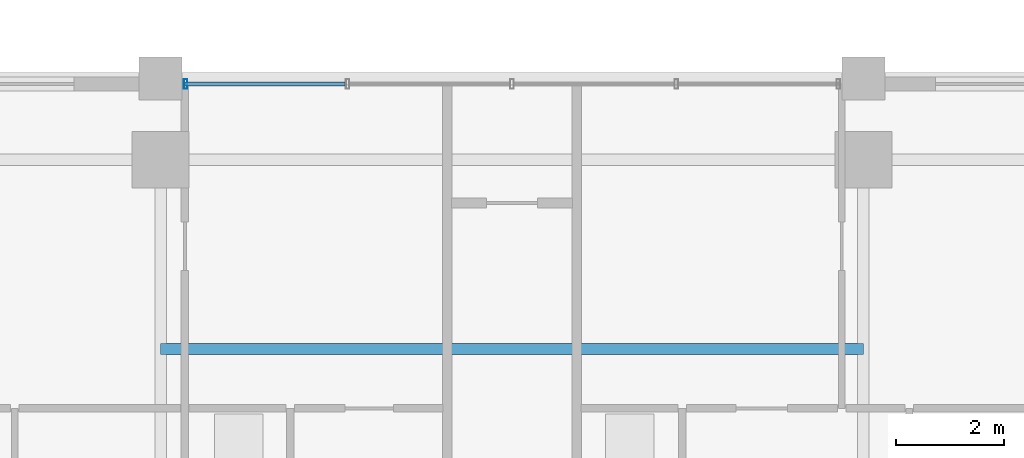
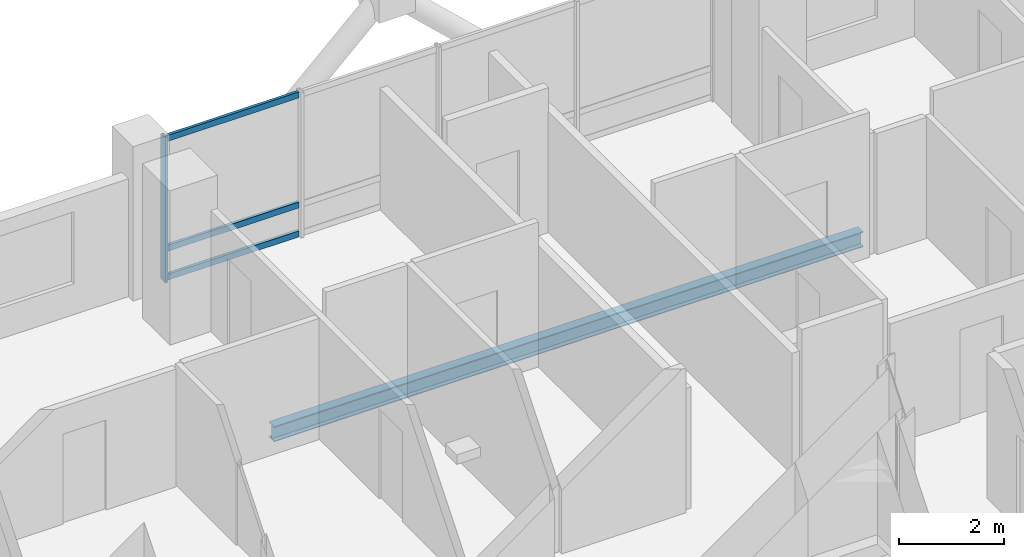
# One storey, part 13 of 24: 4 members, 1 beam, 1 element without a shape of its own.
"""IFC4 building model written with IfcOpenShell, lengths in metres."""

import ifcopenshell
import ifcopenshell.guid

model = None  # the IFC model being written
_history = None  # IfcOwnerHistory: only IFC2X3 demands one
_inside = {}  # id of a spatial element -> (the spatial element, [elements in it])
_under = {}  # id of a project, library or spatial element -> (it, [spatial elements below it])
_declared = {}  # id of a project -> (the project, [libraries it declares])
_typed = {}  # id of a type object -> (the type object, [elements of that type])
_made_of = {}  # id of a material, layer set ... -> (it, [elements and type objects made of it])


def new_model(schema):
    """Start an empty IFC model of exactly this schema.

    Asked for "IFC4X3", IfcOpenShell would pick the latest addendum, in which some entities
    have other attributes; the version numbers below select the first issue.
    IFC2X3 requires an IfcOwnerHistory on every rooted entity: one is made here for all.
    """
    global model, _history
    if schema == "IFC4X3":
        model = ifcopenshell.file(schema_version=(4, 3, 0, 0))
    else:
        model = ifcopenshell.file(schema=schema)
    _inside.clear()
    _under.clear()
    _declared.clear()
    _typed.clear()
    _made_of.clear()
    _history = None
    if model.schema == "IFC2X3":
        org = make("IfcOrganization", Name="unknown")
        user = make(
            "IfcPersonAndOrganization",
            ThePerson=make("IfcPerson", FamilyName="unknown"),
            TheOrganization=org,
        )
        app = make(
            "IfcApplication",
            ApplicationDeveloper=org,
            Version="unknown",
            ApplicationFullName="unknown",
            ApplicationIdentifier="unknown",
        )
        _history = make(
            "IfcOwnerHistory",
            OwningUser=user,
            OwningApplication=app,
            ChangeAction="ADDED",
            CreationDate=0,
        )
    return model


def make(cls, **values):
    """One entity of the class cls with the attributes given. An attribute that is None is left unset."""
    return model.create_entity(
        cls, **{name: value for name, value in values.items() if value is not None}
    )


def rooted(cls, **values):
    """An entity with a GlobalId (a new one), such as an element, a storey or a relation."""
    return make(cls, GlobalId=ifcopenshell.guid.new(), OwnerHistory=_history, **values)


def si_unit(unit_type, name, prefix=None):
    """IfcSIUnit, for example si_unit("LENGTHUNIT", "METRE", prefix="MILLI")."""
    return make("IfcSIUnit", UnitType=unit_type, Prefix=prefix, Name=name)


def assignment(units):
    """IfcUnitAssignment: the units of a project."""
    return None if units is None else make("IfcUnitAssignment", Units=units)


def point(xyz):
    """IfcCartesianPoint."""
    return None if xyz is None else make("IfcCartesianPoint", Coordinates=xyz)


def direction(xyz):
    """IfcDirection."""
    return None if xyz is None else make("IfcDirection", DirectionRatios=xyz)


def frame(location, z_axis=None, x_axis=None):
    """IfcAxis2Placement3D, a coordinate frame: its origin and axes. An axis left out is left unset."""
    return make(
        "IfcAxis2Placement3D",
        Location=point(location),
        Axis=direction(z_axis),
        RefDirection=direction(x_axis),
    )


def frame_2d(location, x_axis=None):
    """IfcAxis2Placement2D, a coordinate frame in the plane: its origin and x axis."""
    return make(
        "IfcAxis2Placement2D", Location=point(location), RefDirection=direction(x_axis)
    )


def origin():
    """The frame at (0, 0, 0) with its axes left unset."""
    return frame((0.0, 0.0, 0.0))


def origin_2d():
    """The frame at (0, 0) in the plane with its x axis left unset."""
    return frame_2d((0.0, 0.0))


def place(relative_to, where):
    """IfcLocalPlacement: puts the frame where relative to a parent placement (None: the world)."""
    return make(
        "IfcLocalPlacement", PlacementRelTo=relative_to, RelativePlacement=where
    )


def context(
    kind, dimensions, precision=None, world=None, true_north=None, identifier=None
):
    """IfcGeometricRepresentationContext, for example the 3D "Model" context."""
    return make(
        "IfcGeometricRepresentationContext",
        ContextIdentifier=identifier,
        ContextType=kind,
        CoordinateSpaceDimension=dimensions,
        Precision=precision,
        WorldCoordinateSystem=world,
        TrueNorth=true_north,
    )


def subcontext(parent, identifier, kind, view, scale=None):
    """IfcGeometricRepresentationSubContext, for example "Body" below "Model"."""
    return make(
        "IfcGeometricRepresentationSubContext",
        ContextIdentifier=identifier,
        ContextType=kind,
        ParentContext=parent,
        TargetScale=scale,
        TargetView=view,
    )


def project(units=None, contexts=None):
    """IfcProject with its units and contexts."""
    return rooted(
        "IfcProject",
        Name="project",
        RepresentationContexts=contexts,
        UnitsInContext=assignment(units),
    )


def spatial(cls, under=None, at=None, **own):
    """A site, building, storey or space (cls), placed at a placement, below another one or the project."""
    s = rooted(cls, ObjectPlacement=at, **own)
    if under is not None:
        _under.setdefault(under.id(), (under, []))[1].append(s)
    return s


def profile(cls, at=None, kind="AREA", **sizes):
    """A parametric profile (cls). Its sizes go by their IFC names, for example OverallWidth=200.0."""
    return make(cls, ProfileType=kind, Position=at, **sizes)


def hollow_rectangle(**sizes):
    """IfcRectangleHollowProfileDef."""
    return profile("IfcRectangleHollowProfileDef", **sizes)


def i_section(**sizes):
    """IfcIShapeProfileDef."""
    return profile("IfcIShapeProfileDef", **sizes)


def extrude(swept, where, along, depth):
    """IfcExtrudedAreaSolid: the profile swept, set in the frame where, extruded along a direction by depth."""
    return make(
        "IfcExtrudedAreaSolid",
        SweptArea=swept,
        Position=where,
        ExtrudedDirection=direction(along),
        Depth=depth,
    )


def shape(context_of_items, identifier, shape_type, items):
    """IfcShapeRepresentation: the items that make up one representation, for example the "Body"."""
    return make(
        "IfcShapeRepresentation",
        ContextOfItems=context_of_items,
        RepresentationIdentifier=identifier,
        RepresentationType=shape_type,
        Items=items,
    )


def material(Name=None, Category=None):
    """IfcMaterial."""
    return make("IfcMaterial", Name=Name, Category=Category)


def layer(
    of_material, thickness, ventilated=None, Name=None, Category=None, Priority=None
):
    """IfcMaterialLayer: one layer of a wall or slab, of a material (None: an air gap)."""
    return make(
        "IfcMaterialLayer",
        Material=of_material,
        LayerThickness=thickness,
        IsVentilated=ventilated,
        Name=Name,
        Category=Category,
        Priority=Priority,
    )


def layer_set(layers, Name=None):
    """IfcMaterialLayerSet."""
    return make("IfcMaterialLayerSet", MaterialLayers=layers, LayerSetName=Name)


def material_profile(
    of_material, cross_section, Name=None, Category=None, Priority=None
):
    """IfcMaterialProfile: a cross section and its material."""
    return make(
        "IfcMaterialProfile",
        Name=Name,
        Material=of_material,
        Profile=cross_section,
        Priority=Priority,
        Category=Category,
    )


def profile_set(profiles, Name=None, composite=None):
    """IfcMaterialProfileSet."""
    return make(
        "IfcMaterialProfileSet",
        Name=Name,
        MaterialProfiles=profiles,
        CompositeProfile=composite,
    )


def made_of(thing, what):
    """Note that an element or type object is made of a material, layer set ...; save() writes the relation."""
    if what is not None:
        _made_of.setdefault(what.id(), (what, []))[1].append(thing)
    return thing


def type_object(cls, material=None, **own):
    """A type object (cls), such as IfcWallType, which elements share."""
    return made_of(rooted(cls, **own), material)


def element(
    cls,
    number,
    at=None,
    inside=None,
    cuts=None,
    type_object=None,
    material=None,
    context=None,
    identifier="Body",
    shape_type=None,
    held_by="IfcProductDefinitionShape",
    body=None,
    shapes=None,
    **own,
):
    """One element of the class cls, such as IfcWall. Its Tag is "e" and its number.

    at: its placement. inside: the storey or other place that contains it. cuts: it is an
    opening in that element (IfcRelVoidsElement). A single representation is given by context,
    identifier, shape_type and body (its items); several are given by shapes. held_by: the class
    of the entity that holds the representations. save() writes the other relations.
    """
    e = rooted(cls, Tag="e%d" % number, ObjectPlacement=at, **own)
    if body is not None:
        shapes = [shape(context, identifier, shape_type, body)]
    if shapes is not None:
        e.Representation = make(held_by, Representations=shapes)
    if inside is not None:
        _inside.setdefault(inside.id(), (inside, []))[1].append(e)
    if cuts is not None:
        rooted(
            "IfcRelVoidsElement", RelatingBuildingElement=cuts, RelatedOpeningElement=e
        )
    if type_object is not None:
        _typed.setdefault(type_object.id(), (type_object, []))[1].append(e)
    return made_of(e, material)


def aggregate(whole, parts):
    """IfcRelAggregates: a whole, such as a stair, and the parts it consists of."""
    return rooted("IfcRelAggregates", RelatingObject=whole, RelatedObjects=parts)


def save(model, path):
    """Write the relations noted so far, then the file.

    IfcRelAggregates (storeys below a building ...), IfcRelContainedInSpatialStructure (elements
    in a storey), IfcRelDefinesByType, IfcRelAssociatesMaterial and IfcRelDeclares: one each for
    every whole, place, type object, material and project.
    """
    for whole, parts in _under.values():
        aggregate(whole, parts)
    for where, things in _inside.values():
        rooted(
            "IfcRelContainedInSpatialStructure",
            RelatedElements=things,
            RelatingStructure=where,
        )
    for kind, things in _typed.values():
        rooted("IfcRelDefinesByType", RelatedObjects=things, RelatingType=kind)
    for what, things in _made_of.values():
        rooted("IfcRelAssociatesMaterial", RelatedObjects=things, RelatingMaterial=what)
    for by, libraries in _declared.values():
        rooted("IfcRelDeclares", RelatingContext=by, RelatedDefinitions=libraries)
    model.write(path)


model = new_model("IFC4")

# Units and contexts
model_context = context("Model", 3, precision=1e-05, world=origin(), true_north=direction((0.0, 1.0)))
body_context = subcontext(model_context, "Body", "Model", "MODEL_VIEW")
ifc_project = project(units=[si_unit("LENGTHUNIT", "METRE"), si_unit("AREAUNIT", "SQUARE_METRE"), si_unit("VOLUMEUNIT", "CUBIC_METRE"), si_unit("PLANEANGLEUNIT", "RADIAN"), si_unit("MASSUNIT", "GRAM", prefix="KILO")], contexts=[model_context])

# Site, building, storey
site_placement = place(None, origin())
site = spatial("IfcSite", under=ifc_project, at=site_placement, CompositionType="ELEMENT")
building_placement = place(site_placement, origin())
building = spatial("IfcBuilding", under=site, at=building_placement, Name="Barlavira Tower and Art Museum", CompositionType="ELEMENT")
storey_placement = place(building_placement, frame((0.0, 0.0, 183.60009765625)))
storey = spatial("IfcBuildingStorey", under=building, at=storey_placement, Name="L47", CompositionType="ELEMENT", Elevation=183.60009765625)

# Curtain wall, members
ifc_material_1 = material(Name="Low-iron coastal laminated glass", Category="glass")
ifc_layer = layer(ifc_material_1, 0.199951171875, Name="Low-iron coastal laminated glass")
ifc_layer_set = layer_set([ifc_layer], Name="Low-iron coastal laminated glass")
curtain_wall_type = type_object("IfcCurtainWallType", Name="Pale-Metal Unitised Curtain Wall Zone 3", PredefinedType="NOTDEFINED", material=ifc_layer_set)
curtain_wall_placement = place(storey_placement, origin())
curtain_wall = element("IfcCurtainWall", 1, at=curtain_wall_placement, inside=storey, type_object=curtain_wall_type, Name="L47 Curtain Wall CW3-L47-N-B3", PredefinedType="NOTDEFINED")
ifc_material_2 = material(Name="Pale anodised aluminium", Category="aluminium")
ifc_material_profile_1 = material_profile(ifc_material_2, hollow_rectangle(XDim=0.06494140625, YDim=0.179931640625, WallThickness=0.00390625, at=origin_2d()), Name="ALU-MULL 65x180x4")
ifc_profile_set_1 = profile_set([ifc_material_profile_1], Name="Pale anodised aluminium")
member_type_1 = type_object("IfcMemberType", Name="Curtain Wall Pale-Metal Mullion 65x180", PredefinedType="MULLION", material=ifc_profile_set_1)
member_1_placement = place(storey_placement, frame((-6.034912109375, 21.39990234375, 0.0), z_axis=(0.0, 0.0, 1.0), x_axis=(-1.0, 0.0, 0.0)))
member_1 = element("IfcMember", 2, at=member_1_placement, type_object=member_type_1, Name="CW3-L47-N-B3 Mullion 4", PredefinedType="MULLION", context=body_context, shape_type="SweptSolid", body=[
    extrude(hollow_rectangle(XDim=0.06494140625, YDim=0.179931640625, WallThickness=0.00390625, at=origin_2d()), origin(), (0.0, 0.0, 1.0), 3.3798828125),
])
ifc_material_profile_2 = material_profile(ifc_material_2, hollow_rectangle(XDim=0.06494140625, YDim=0.139892578125, WallThickness=0.00390625, at=origin_2d()), Name="ALU-TRAN 65x140x4")
ifc_profile_set_2 = profile_set([ifc_material_profile_2], Name="Pale anodised aluminium")
member_type_2 = type_object("IfcMemberType", Name="Curtain Wall Pale-Metal Transom 65x140", PredefinedType="USERDEFINED", material=ifc_profile_set_2)
member_2_placement = place(storey_placement, frame((-3.0849609375, 21.39990234375, 0.06982421875), z_axis=(-1.0, 0.0, 0.0), x_axis=(0.0, -1.0, 0.0)))
member_2 = element("IfcMember", 3, at=member_2_placement, type_object=member_type_2, Name="CW3-L47-N-B3 Transom 3.1", ObjectType="TRANSOM", PredefinedType="USERDEFINED", context=body_context, shape_type="SweptSolid", body=[
    extrude(hollow_rectangle(XDim=0.06494140625, YDim=0.139892578125, WallThickness=0.00390625, at=origin_2d()), origin(), (0.0, 0.0, 1.0), 2.949951171875),
])
member_3_placement = place(storey_placement, frame((-3.0849609375, 21.39990234375, 0.743896484375), z_axis=(-1.0, 0.0, 0.0), x_axis=(0.0, -1.0, 0.0)))
member_3 = element("IfcMember", 4, at=member_3_placement, type_object=member_type_2, Name="CW3-L47-N-B3 Transom 3.2", ObjectType="TRANSOM", PredefinedType="USERDEFINED", context=body_context, shape_type="SweptSolid", body=[
    extrude(hollow_rectangle(XDim=0.06494140625, YDim=0.139892578125, WallThickness=0.00390625, at=origin_2d()), origin(), (0.0, 0.0, 1.0), 2.949951171875),
])
member_4_placement = place(storey_placement, frame((-3.0849609375, 21.39990234375, 3.309814453125), z_axis=(-1.0, 0.0, 0.0), x_axis=(0.0, -1.0, 0.0)))
member_4 = element("IfcMember", 5, at=member_4_placement, type_object=member_type_2, Name="CW3-L47-N-B3 Transom 3.3", ObjectType="TRANSOM", PredefinedType="USERDEFINED", context=body_context, shape_type="SweptSolid", body=[
    extrude(hollow_rectangle(XDim=0.06494140625, YDim=0.139892578125, WallThickness=0.00390625, at=origin_2d()), origin(), (0.0, 0.0, 1.0), 2.949951171875),
])
aggregate(curtain_wall, [member_1, member_2, member_3, member_4])

# Beam
ifc_material_3 = material(Name="Steel S355", Category="steel")
ifc_material_profile_3 = material_profile(ifc_material_3, i_section(OverallWidth=0.205078125, OverallDepth=0.35400390625, WebThickness=0.009521484375, FlangeThickness=0.016845703125, at=origin_2d()), Name="W360x79.0")
ifc_profile_set_3 = profile_set([ifc_material_profile_3], Name="Steel S355")
beam_type = type_object("IfcBeamType", Name="Zone 3 Composite Floor Joist W360x79 Steel S355", PredefinedType="JOIST", material=ifc_profile_set_3)
beam_placement = place(storey_placement, frame((-6.5, 16.5, -0.397216796875), z_axis=(1.0, 0.0, 0.0), x_axis=(0.0, 1.0, 0.0)))
element("IfcBeam", 6, at=beam_placement, inside=storey, type_object=beam_type, Name="L47 Joist C2", PredefinedType="JOIST", context=body_context, shape_type="SweptSolid", body=[
    extrude(i_section(OverallWidth=0.205078125, OverallDepth=0.35400390625, WebThickness=0.009521484375, FlangeThickness=0.016845703125, at=origin_2d()), origin(), (0.0, 0.0, 1.0), 13.0),
])

save(model, "model.ifc")
